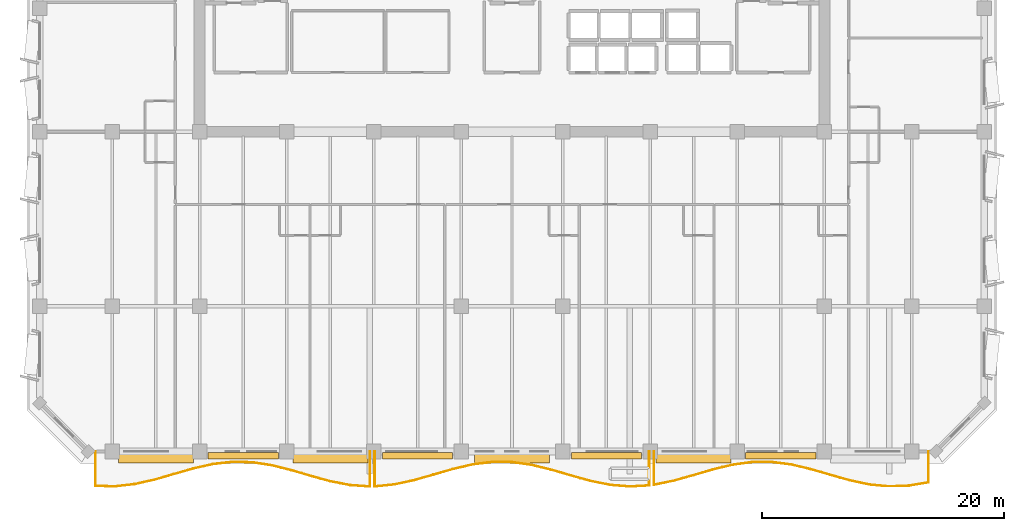
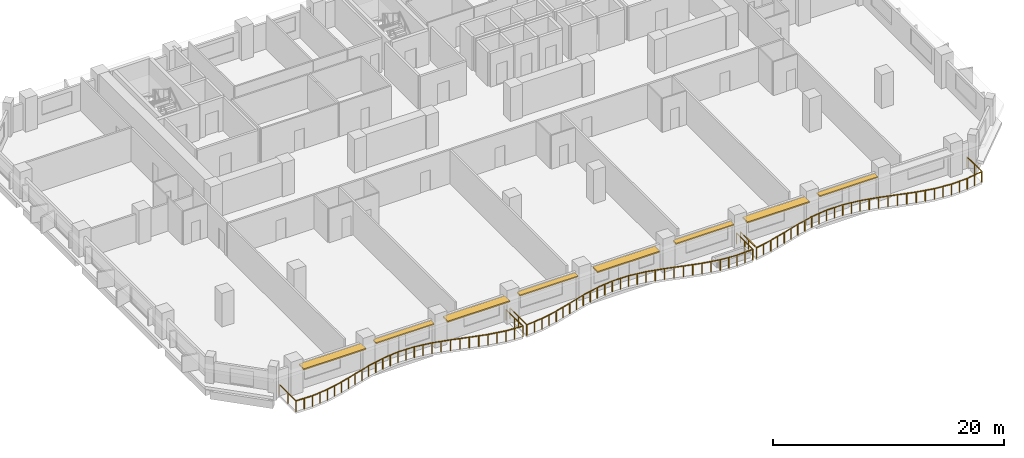
# One storey, part 10 of 14: 8 shading devices, 3 railings.
"""IFC4 building model written with IfcOpenShell, lengths in metres."""

from ifc_helpers import new_model, si_unit, direction, frame, origin, origin_2d, place, context, subcontext, project, spatial, rectangle, extrude, material, layer, layer_set, type_object, element, save


model = new_model("IFC4")

# Units and contexts
model_context = context("Model", 3, precision=1e-05, world=origin(), true_north=direction((0.0, 1.0)))
body_context = subcontext(model_context, "Body", "Model", "MODEL_VIEW")
ifc_project = project(units=[si_unit("LENGTHUNIT", "METRE"), si_unit("AREAUNIT", "SQUARE_METRE"), si_unit("VOLUMEUNIT", "CUBIC_METRE"), si_unit("PLANEANGLEUNIT", "RADIAN"), si_unit("MASSUNIT", "GRAM", prefix="KILO")], contexts=[model_context])

# Site, building, storey
site_placement = place(None, origin())
site = spatial("IfcSite", under=ifc_project, at=site_placement, CompositionType="ELEMENT")
building_placement = place(site_placement, origin())
building = spatial("IfcBuilding", under=site, at=building_placement, Name="Kaelvorn Grand Hotel", CompositionType="ELEMENT")
storey_placement = place(building_placement, frame((0.0, 0.0, 205.35009765625)))
storey = spatial("IfcBuildingStorey", under=building, at=storey_placement, Name="L50", CompositionType="ELEMENT", Elevation=205.35009765625)

# Railings
ifc_material_1 = material(Name="Stainless Steel", Category="steel")
railing_type = type_object("IfcRailingType", Name="RL-BALC-1150", PredefinedType="BALUSTRADE", material=ifc_material_1)
railing_1_placement = place(storey_placement, frame((7.60009765625, 3.0, 0.0)))
element("IfcRailing", 1, at=railing_1_placement, inside=storey, type_object=railing_type, Name="L50 Scalloped Wave Balcony Balustrade GR1-1", PredefinedType="BALUSTRADE", context=body_context, shape_type="SweptSolid", body=[
    extrude(rectangle(XDim=0.048095703125, YDim=0.048095703125, at=origin_2d()), frame((0.0, 0.0, 1.1259765625), z_axis=(0.0, -1.0, 0.0), x_axis=(1.0, 0.0, 0.0)), (0.0, 0.0, 1.0), 2.849853515625),
    extrude(rectangle(XDim=0.048095703125, YDim=0.048095703125, at=origin_2d()), frame((0.0, -2.849853515625, 1.1259765625), z_axis=(0.999730426156, -0.023217989086, 0.0), x_axis=(0.023217989086, 0.999730426156, 0.0)), (0.0, 0.0, 1.0), 1.619384765625),
    extrude(rectangle(XDim=0.048095703125, YDim=0.048095703125, at=origin_2d()), frame((1.618896484375, -2.887451171875, 1.1259765625), z_axis=(0.993682951912, 0.112223843634, 0.0), x_axis=(-0.112223843634, 0.993682951912, 0.0)), (0.0, 0.0, 1.0), 1.62939453125),
    extrude(rectangle(XDim=0.048095703125, YDim=0.048095703125, at=origin_2d()), frame((3.238037109375, -2.70458984375, 1.1259765625), z_axis=(0.975703414812, 0.219095518723, 0.0), x_axis=(-0.219095518723, 0.975703414812, 0.0)), (0.0, 0.0, 1.0), 1.6591796875),
    extrude(rectangle(XDim=0.048095703125, YDim=0.048095703125, at=origin_2d()), frame((4.85693359375, -2.341064453125, 1.1259765625), z_axis=(0.961173148549, 0.275945970271, 0.0), x_axis=(-0.275945970271, 0.961173148549, 0.0)), (0.0, 0.0, 1.0), 1.6845703125),
    extrude(rectangle(XDim=0.048095703125, YDim=0.048095703125, at=origin_2d()), frame((6.47607421875, -1.876220703125, 1.1259765625), z_axis=(0.961096237506, 0.276213725676, 0.0), x_axis=(-0.276213725676, 0.961096237506, 0.0)), (0.0, 0.0, 1.0), 1.6845703125),
    extrude(rectangle(XDim=0.048095703125, YDim=0.048095703125, at=origin_2d()), frame((8.09521484375, -1.410888671875, 1.1259765625), z_axis=(0.975640468592, 0.219375650531, 0.0), x_axis=(-0.219375650531, 0.975640468592, 0.0)), (0.0, 0.0, 1.0), 1.659423828125),
    extrude(rectangle(XDim=0.048095703125, YDim=0.048095703125, at=origin_2d()), frame((9.714111328125, -1.046875, 1.1259765625), z_axis=(0.993615946407, 0.112815562069, 0.0), x_axis=(-0.112815562069, 0.993615946407, 0.0)), (0.0, 0.0, 1.0), 1.629638671875),
    extrude(rectangle(XDim=0.048095703125, YDim=0.048095703125, at=origin_2d()), frame((11.333251953125, -0.863037109375, 1.1259765625), z_axis=(0.999747716334, -0.022461159489, 0.0), x_axis=(0.022461159489, 0.999747716334, 0.0)), (0.0, 0.0, 1.0), 1.61962890625),
    extrude(rectangle(XDim=0.048095703125, YDim=0.048095703125, at=origin_2d()), frame((12.952392578125, -0.8994140625, 1.1259765625), z_axis=(0.988375143725, -0.152034783079, 0.0), x_axis=(0.152034783079, 0.988375143725, 0.0)), (0.0, 0.0, 1.0), 1.637939453125),
    extrude(rectangle(XDim=0.048095703125, YDim=0.048095703125, at=origin_2d()), frame((14.5712890625, -1.1484375, 1.1259765625), z_axis=(0.969797453299, -0.243911663465, 0.0), x_axis=(0.243911663465, 0.969797453299, 0.0)), (0.0, 0.0, 1.0), 1.669677734375),
    extrude(rectangle(XDim=0.048095703125, YDim=0.048095703125, at=origin_2d()), frame((16.1904296875, -1.5556640625, 1.1259765625), z_axis=(0.959298669037, -0.28239345528, 0.0), x_axis=(0.28239345528, 0.959298669037, 0.0)), (0.0, 0.0, 1.0), 1.6875),
    extrude(rectangle(XDim=0.048095703125, YDim=0.048095703125, at=origin_2d()), frame((17.809326171875, -2.0322265625, 1.1259765625), z_axis=(0.964642881797, -0.26356044961, 0.0), x_axis=(0.26356044961, 0.964642881797, 0.0)), (0.0, 0.0, 1.0), 1.678466796875),
    extrude(rectangle(XDim=0.048095703125, YDim=0.048095703125, at=origin_2d()), frame((19.428466796875, -2.474609375, 1.1259765625), z_axis=(0.981934563665, -0.189220804036, 0.0), x_axis=(0.189220804036, 0.981934563665, 0.0)), (0.0, 0.0, 1.0), 1.64892578125),
    extrude(rectangle(XDim=0.048095703125, YDim=0.048095703125, at=origin_2d()), frame((21.047607421875, -2.78662109375, 1.1259765625), z_axis=(0.997560748311, -0.069803677758, 0.0), x_axis=(0.069803677758, 0.997560748311, 0.0)), (0.0, 0.0, 1.0), 1.622802734375),
    extrude(rectangle(XDim=0.048095703125, YDim=0.048095703125, at=origin_2d()), frame((22.66650390625, -2.89990234375, 1.1259765625), z_axis=(0.0, 1.0, 0.0), x_axis=(-1.0, 0.0, 0.0)), (0.0, 0.0, 1.0), 2.89990234375),
    extrude(rectangle(XDim=0.0419921875, YDim=0.0419921875, at=origin_2d()), origin(), (0.0, 0.0, 1.0), 1.101806640625),
    extrude(rectangle(XDim=0.0419921875, YDim=0.0419921875, at=origin_2d()), frame((0.0, -1.4248046875, 0.0)), (0.0, 0.0, 1.0), 1.101806640625),
    extrude(rectangle(XDim=0.0419921875, YDim=0.0419921875, at=origin_2d()), frame((0.0, -2.849853515625, 0.0)), (0.0, 0.0, 1.0), 1.101806640625),
    extrude(rectangle(XDim=0.0419921875, YDim=0.0419921875, at=origin_2d()), frame((0.8095703125, -2.86865234375, 0.0)), (0.0, 0.0, 1.0), 1.101806640625),
    extrude(rectangle(XDim=0.0419921875, YDim=0.0419921875, at=origin_2d()), frame((1.618896484375, -2.887451171875, 0.0)), (0.0, 0.0, 1.0), 1.101806640625),
    extrude(rectangle(XDim=0.0419921875, YDim=0.0419921875, at=origin_2d()), frame((2.428466796875, -2.7958984375, 0.0)), (0.0, 0.0, 1.0), 1.101806640625),
    extrude(rectangle(XDim=0.0419921875, YDim=0.0419921875, at=origin_2d()), frame((3.238037109375, -2.70458984375, 0.0)), (0.0, 0.0, 1.0), 1.101806640625),
    extrude(rectangle(XDim=0.0419921875, YDim=0.0419921875, at=origin_2d()), frame((4.04736328125, -2.52294921875, 0.0)), (0.0, 0.0, 1.0), 1.101806640625),
    extrude(rectangle(XDim=0.0419921875, YDim=0.0419921875, at=origin_2d()), frame((4.85693359375, -2.341064453125, 0.0)), (0.0, 0.0, 1.0), 1.101806640625),
    extrude(rectangle(XDim=0.0419921875, YDim=0.0419921875, at=origin_2d()), frame((5.66650390625, -2.108642578125, 0.0)), (0.0, 0.0, 1.0), 1.101806640625),
    extrude(rectangle(XDim=0.0419921875, YDim=0.0419921875, at=origin_2d()), frame((6.47607421875, -1.876220703125, 0.0)), (0.0, 0.0, 1.0), 1.101806640625),
    extrude(rectangle(XDim=0.0419921875, YDim=0.0419921875, at=origin_2d()), frame((7.28564453125, -1.6435546875, 0.0)), (0.0, 0.0, 1.0), 1.101806640625),
    extrude(rectangle(XDim=0.0419921875, YDim=0.0419921875, at=origin_2d()), frame((8.09521484375, -1.410888671875, 0.0)), (0.0, 0.0, 1.0), 1.101806640625),
    extrude(rectangle(XDim=0.0419921875, YDim=0.0419921875, at=origin_2d()), frame((8.90478515625, -1.22900390625, 0.0)), (0.0, 0.0, 1.0), 1.101806640625),
    extrude(rectangle(XDim=0.0419921875, YDim=0.0419921875, at=origin_2d()), frame((9.714111328125, -1.046875, 0.0)), (0.0, 0.0, 1.0), 1.101806640625),
    extrude(rectangle(XDim=0.0419921875, YDim=0.0419921875, at=origin_2d()), frame((10.523681640625, -0.955078125, 0.0)), (0.0, 0.0, 1.0), 1.101806640625),
    extrude(rectangle(XDim=0.0419921875, YDim=0.0419921875, at=origin_2d()), frame((11.333251953125, -0.863037109375, 0.0)), (0.0, 0.0, 1.0), 1.101806640625),
    extrude(rectangle(XDim=0.0419921875, YDim=0.0419921875, at=origin_2d()), frame((12.142822265625, -0.88134765625, 0.0)), (0.0, 0.0, 1.0), 1.101806640625),
    extrude(rectangle(XDim=0.0419921875, YDim=0.0419921875, at=origin_2d()), frame((12.952392578125, -0.8994140625, 0.0)), (0.0, 0.0, 1.0), 1.101806640625),
    extrude(rectangle(XDim=0.0419921875, YDim=0.0419921875, at=origin_2d()), frame((13.76171875, -1.02392578125, 0.0)), (0.0, 0.0, 1.0), 1.101806640625),
    extrude(rectangle(XDim=0.0419921875, YDim=0.0419921875, at=origin_2d()), frame((14.5712890625, -1.1484375, 0.0)), (0.0, 0.0, 1.0), 1.101806640625),
    extrude(rectangle(XDim=0.0419921875, YDim=0.0419921875, at=origin_2d()), frame((15.380859375, -1.35205078125, 0.0)), (0.0, 0.0, 1.0), 1.101806640625),
    extrude(rectangle(XDim=0.0419921875, YDim=0.0419921875, at=origin_2d()), frame((16.1904296875, -1.5556640625, 0.0)), (0.0, 0.0, 1.0), 1.101806640625),
    extrude(rectangle(XDim=0.0419921875, YDim=0.0419921875, at=origin_2d()), frame((17.0, -1.7939453125, 0.0)), (0.0, 0.0, 1.0), 1.101806640625),
    extrude(rectangle(XDim=0.0419921875, YDim=0.0419921875, at=origin_2d()), frame((17.809326171875, -2.0322265625, 0.0)), (0.0, 0.0, 1.0), 1.101806640625),
    extrude(rectangle(XDim=0.0419921875, YDim=0.0419921875, at=origin_2d()), frame((18.618896484375, -2.25341796875, 0.0)), (0.0, 0.0, 1.0), 1.101806640625),
    extrude(rectangle(XDim=0.0419921875, YDim=0.0419921875, at=origin_2d()), frame((19.428466796875, -2.474609375, 0.0)), (0.0, 0.0, 1.0), 1.101806640625),
    extrude(rectangle(XDim=0.0419921875, YDim=0.0419921875, at=origin_2d()), frame((20.238037109375, -2.630615234375, 0.0)), (0.0, 0.0, 1.0), 1.101806640625),
    extrude(rectangle(XDim=0.0419921875, YDim=0.0419921875, at=origin_2d()), frame((21.047607421875, -2.78662109375, 0.0)), (0.0, 0.0, 1.0), 1.101806640625),
    extrude(rectangle(XDim=0.0419921875, YDim=0.0419921875, at=origin_2d()), frame((21.85693359375, -2.84326171875, 0.0)), (0.0, 0.0, 1.0), 1.101806640625),
    extrude(rectangle(XDim=0.0419921875, YDim=0.0419921875, at=origin_2d()), frame((22.66650390625, -2.89990234375, 0.0)), (0.0, 0.0, 1.0), 1.101806640625),
    extrude(rectangle(XDim=0.0419921875, YDim=0.0419921875, at=origin_2d()), frame((22.66650390625, -1.449951171875, 0.0)), (0.0, 0.0, 1.0), 1.101806640625),
    extrude(rectangle(XDim=0.0419921875, YDim=0.0419921875, at=origin_2d()), frame((22.66650390625, 0.0, 0.0)), (0.0, 0.0, 1.0), 1.101806640625),
])
railing_2_placement = place(storey_placement, frame((30.666748046875, 3.0, 0.0)))
element("IfcRailing", 2, at=railing_2_placement, inside=storey, type_object=railing_type, Name="L50 Scalloped Wave Balcony Balustrade GR1-2", PredefinedType="BALUSTRADE", context=body_context, shape_type="SweptSolid", body=[
    extrude(rectangle(XDim=0.048095703125, YDim=0.048095703125, at=origin_2d()), frame((0.0, 0.0, 1.1259765625), z_axis=(0.0, -1.0, 0.0), x_axis=(1.0, 0.0, 0.0)), (0.0, 0.0, 1.0), 2.8935546875),
    extrude(rectangle(XDim=0.048095703125, YDim=0.048095703125, at=origin_2d()), frame((0.0, -2.8935546875, 1.1259765625), z_axis=(0.994964128671, 0.100231644994, 0.0), x_axis=(-0.100231644994, 0.994964128671, 0.0)), (0.0, 0.0, 1.0), 1.627197265625),
    extrude(rectangle(XDim=0.048095703125, YDim=0.048095703125, at=origin_2d()), frame((1.618896484375, -2.73046875, 1.1259765625), z_axis=(0.977503767455, 0.210917957061, 0.0), x_axis=(-0.210917957061, 0.977503767455, 0.0)), (0.0, 0.0, 1.0), 1.656494140625),
    extrude(rectangle(XDim=0.048095703125, YDim=0.048095703125, at=origin_2d()), frame((3.238037109375, -2.381103515625, 1.1259765625), z_axis=(0.962015046514, 0.272996429062, 0.0), x_axis=(-0.272996429062, 0.962015046514, 0.0)), (0.0, 0.0, 1.0), 1.68310546875),
    extrude(rectangle(XDim=0.048095703125, YDim=0.048095703125, at=origin_2d()), frame((4.857177734375, -1.921630859375, 1.1259765625), z_axis=(0.960389998509, 0.278659381259, 0.0), x_axis=(-0.278659381259, 0.960389998509, 0.0)), (0.0, 0.0, 1.0), 1.685546875),
    extrude(rectangle(XDim=0.048095703125, YDim=0.048095703125, at=origin_2d()), frame((6.47607421875, -1.451904296875, 1.1259765625), z_axis=(0.97385637145, 0.227164627056, 0.0), x_axis=(-0.227164627056, 0.97385637145, 0.0)), (0.0, 0.0, 1.0), 1.66259765625),
    extrude(rectangle(XDim=0.048095703125, YDim=0.048095703125, at=origin_2d()), frame((8.09521484375, -1.07421875, 1.1259765625), z_axis=(0.992220218526, 0.124495132229, 0.0), x_axis=(-0.124495132229, 0.992220218526, 0.0)), (0.0, 0.0, 1.0), 1.631591796875),
    extrude(rectangle(XDim=0.048095703125, YDim=0.048095703125, at=origin_2d()), frame((9.714111328125, -0.87109375, 1.1259765625), z_axis=(0.999954883783, -0.009498968287, 0.0), x_axis=(0.009498968287, 0.999954883783, 0.0)), (0.0, 0.0, 1.0), 1.619140625),
    extrude(rectangle(XDim=0.048095703125, YDim=0.048095703125, at=origin_2d()), frame((11.333251953125, -0.886474609375, 1.1259765625), z_axis=(0.990000183839, -0.141066069621, 0.0), x_axis=(0.141066069621, 0.990000183839, 0.0)), (0.0, 0.0, 1.0), 1.635498046875),
    extrude(rectangle(XDim=0.048095703125, YDim=0.048095703125, at=origin_2d()), frame((12.952392578125, -1.1171875, 1.1259765625), z_axis=(0.971429786171, -0.237327138229, 0.0), x_axis=(0.237327138229, 0.971429786171, 0.0)), (0.0, 0.0, 1.0), 1.66650390625),
    extrude(rectangle(XDim=0.048095703125, YDim=0.048095703125, at=origin_2d()), frame((14.5712890625, -1.5126953125, 1.1259765625), z_axis=(0.959623156728, -0.281288814337, 0.0), x_axis=(0.281288814337, 0.959623156728, 0.0)), (0.0, 0.0, 1.0), 1.687255859375),
    extrude(rectangle(XDim=0.048095703125, YDim=0.048095703125, at=origin_2d()), frame((16.1904296875, -1.9873046875, 1.1259765625), z_axis=(0.963478347778, -0.267786245657, 0.0), x_axis=(0.267786245657, 0.963478347778, 0.0)), (0.0, 0.0, 1.0), 1.68017578125),
    extrude(rectangle(XDim=0.048095703125, YDim=0.048095703125, at=origin_2d()), frame((17.809326171875, -2.437255859375, 1.1259765625), z_axis=(0.980134803691, -0.1983324648, 0.0), x_axis=(0.1983324648, 0.980134803691, 0.0)), (0.0, 0.0, 1.0), 1.65185546875),
    extrude(rectangle(XDim=0.048095703125, YDim=0.048095703125, at=origin_2d()), frame((19.428466796875, -2.764892578125, 1.1259765625), z_axis=(0.996591207216, -0.082498276954, 0.0), x_axis=(0.082498276954, 0.996591207216, 0.0)), (0.0, 0.0, 1.0), 1.624755859375),
    extrude(rectangle(XDim=0.048095703125, YDim=0.048095703125, at=origin_2d()), frame((21.047607421875, -2.89892578125, 1.1259765625), z_axis=(0.998488486101, 0.054961287502, 0.0), x_axis=(-0.054961287502, 0.998488486101, 0.0)), (0.0, 0.0, 1.0), 1.621337890625),
    extrude(rectangle(XDim=0.048095703125, YDim=0.048095703125, at=origin_2d()), frame((22.66650390625, -2.809814453125, 1.1259765625), z_axis=(0.0, 1.0, 0.0), x_axis=(-1.0, 0.0, 0.0)), (0.0, 0.0, 1.0), 2.809814453125),
    extrude(rectangle(XDim=0.0419921875, YDim=0.0419921875, at=origin_2d()), origin(), (0.0, 0.0, 1.0), 1.101806640625),
    extrude(rectangle(XDim=0.0419921875, YDim=0.0419921875, at=origin_2d()), frame((0.0, -1.44677734375, 0.0)), (0.0, 0.0, 1.0), 1.101806640625),
    extrude(rectangle(XDim=0.0419921875, YDim=0.0419921875, at=origin_2d()), frame((0.0, -2.8935546875, 0.0)), (0.0, 0.0, 1.0), 1.101806640625),
    extrude(rectangle(XDim=0.0419921875, YDim=0.0419921875, at=origin_2d()), frame((0.8095703125, -2.81201171875, 0.0)), (0.0, 0.0, 1.0), 1.101806640625),
    extrude(rectangle(XDim=0.0419921875, YDim=0.0419921875, at=origin_2d()), frame((1.618896484375, -2.73046875, 0.0)), (0.0, 0.0, 1.0), 1.101806640625),
    extrude(rectangle(XDim=0.0419921875, YDim=0.0419921875, at=origin_2d()), frame((2.428466796875, -2.5556640625, 0.0)), (0.0, 0.0, 1.0), 1.101806640625),
    extrude(rectangle(XDim=0.0419921875, YDim=0.0419921875, at=origin_2d()), frame((3.238037109375, -2.381103515625, 0.0)), (0.0, 0.0, 1.0), 1.101806640625),
    extrude(rectangle(XDim=0.0419921875, YDim=0.0419921875, at=origin_2d()), frame((4.047607421875, -2.1513671875, 0.0)), (0.0, 0.0, 1.0), 1.101806640625),
    extrude(rectangle(XDim=0.0419921875, YDim=0.0419921875, at=origin_2d()), frame((4.857177734375, -1.921630859375, 0.0)), (0.0, 0.0, 1.0), 1.101806640625),
    extrude(rectangle(XDim=0.0419921875, YDim=0.0419921875, at=origin_2d()), frame((5.66650390625, -1.686767578125, 0.0)), (0.0, 0.0, 1.0), 1.101806640625),
    extrude(rectangle(XDim=0.0419921875, YDim=0.0419921875, at=origin_2d()), frame((6.47607421875, -1.451904296875, 0.0)), (0.0, 0.0, 1.0), 1.101806640625),
    extrude(rectangle(XDim=0.0419921875, YDim=0.0419921875, at=origin_2d()), frame((7.28564453125, -1.26318359375, 0.0)), (0.0, 0.0, 1.0), 1.101806640625),
    extrude(rectangle(XDim=0.0419921875, YDim=0.0419921875, at=origin_2d()), frame((8.09521484375, -1.07421875, 0.0)), (0.0, 0.0, 1.0), 1.101806640625),
    extrude(rectangle(XDim=0.0419921875, YDim=0.0419921875, at=origin_2d()), frame((8.90478515625, -0.97265625, 0.0)), (0.0, 0.0, 1.0), 1.101806640625),
    extrude(rectangle(XDim=0.0419921875, YDim=0.0419921875, at=origin_2d()), frame((9.714111328125, -0.87109375, 0.0)), (0.0, 0.0, 1.0), 1.101806640625),
    extrude(rectangle(XDim=0.0419921875, YDim=0.0419921875, at=origin_2d()), frame((10.523681640625, -0.87890625, 0.0)), (0.0, 0.0, 1.0), 1.101806640625),
    extrude(rectangle(XDim=0.0419921875, YDim=0.0419921875, at=origin_2d()), frame((11.333251953125, -0.886474609375, 0.0)), (0.0, 0.0, 1.0), 1.101806640625),
    extrude(rectangle(XDim=0.0419921875, YDim=0.0419921875, at=origin_2d()), frame((12.142822265625, -1.001953125, 0.0)), (0.0, 0.0, 1.0), 1.101806640625),
    extrude(rectangle(XDim=0.0419921875, YDim=0.0419921875, at=origin_2d()), frame((12.952392578125, -1.1171875, 0.0)), (0.0, 0.0, 1.0), 1.101806640625),
    extrude(rectangle(XDim=0.0419921875, YDim=0.0419921875, at=origin_2d()), frame((13.76171875, -1.31494140625, 0.0)), (0.0, 0.0, 1.0), 1.101806640625),
    extrude(rectangle(XDim=0.0419921875, YDim=0.0419921875, at=origin_2d()), frame((14.5712890625, -1.5126953125, 0.0)), (0.0, 0.0, 1.0), 1.101806640625),
    extrude(rectangle(XDim=0.0419921875, YDim=0.0419921875, at=origin_2d()), frame((15.380859375, -1.75, 0.0)), (0.0, 0.0, 1.0), 1.101806640625),
    extrude(rectangle(XDim=0.0419921875, YDim=0.0419921875, at=origin_2d()), frame((16.1904296875, -1.9873046875, 0.0)), (0.0, 0.0, 1.0), 1.101806640625),
    extrude(rectangle(XDim=0.0419921875, YDim=0.0419921875, at=origin_2d()), frame((17.0, -2.21240234375, 0.0)), (0.0, 0.0, 1.0), 1.101806640625),
    extrude(rectangle(XDim=0.0419921875, YDim=0.0419921875, at=origin_2d()), frame((17.809326171875, -2.437255859375, 0.0)), (0.0, 0.0, 1.0), 1.101806640625),
    extrude(rectangle(XDim=0.0419921875, YDim=0.0419921875, at=origin_2d()), frame((18.618896484375, -2.60107421875, 0.0)), (0.0, 0.0, 1.0), 1.101806640625),
    extrude(rectangle(XDim=0.0419921875, YDim=0.0419921875, at=origin_2d()), frame((19.428466796875, -2.764892578125, 0.0)), (0.0, 0.0, 1.0), 1.101806640625),
    extrude(rectangle(XDim=0.0419921875, YDim=0.0419921875, at=origin_2d()), frame((20.238037109375, -2.83203125, 0.0)), (0.0, 0.0, 1.0), 1.101806640625),
    extrude(rectangle(XDim=0.0419921875, YDim=0.0419921875, at=origin_2d()), frame((21.047607421875, -2.89892578125, 0.0)), (0.0, 0.0, 1.0), 1.101806640625),
    extrude(rectangle(XDim=0.0419921875, YDim=0.0419921875, at=origin_2d()), frame((21.85693359375, -2.8544921875, 0.0)), (0.0, 0.0, 1.0), 1.101806640625),
    extrude(rectangle(XDim=0.0419921875, YDim=0.0419921875, at=origin_2d()), frame((22.66650390625, -2.809814453125, 0.0)), (0.0, 0.0, 1.0), 1.101806640625),
    extrude(rectangle(XDim=0.0419921875, YDim=0.0419921875, at=origin_2d()), frame((22.66650390625, -1.40478515625, 0.0)), (0.0, 0.0, 1.0), 1.101806640625),
    extrude(rectangle(XDim=0.0419921875, YDim=0.0419921875, at=origin_2d()), frame((22.66650390625, 0.0, 0.0)), (0.0, 0.0, 1.0), 1.101806640625),
])
railing_3_placement = place(storey_placement, frame((53.7333984375, 3.0, 0.0)))
element("IfcRailing", 3, at=railing_3_placement, inside=storey, type_object=railing_type, Name="L50 Scalloped Wave Balcony Balustrade GR1-3", PredefinedType="BALUSTRADE", context=body_context, shape_type="SweptSolid", body=[
    extrude(rectangle(XDim=0.048095703125, YDim=0.048095703125, at=origin_2d()), frame((0.0, 0.0, 1.1259765625), z_axis=(0.0, -1.0, 0.0), x_axis=(1.0, 0.0, 0.0)), (0.0, 0.0, 1.0), 2.754638671875),
    extrude(rectangle(XDim=0.048095703125, YDim=0.048095703125, at=origin_2d()), frame((0.0, -2.754638671875, 1.1259765625), z_axis=(0.979316964053, 0.202332112917, 0.0), x_axis=(-0.202332112917, 0.979316964053, 0.0)), (0.0, 0.0, 1.0), 1.653076171875),
    extrude(rectangle(XDim=0.048095703125, YDim=0.048095703125, at=origin_2d()), frame((1.618896484375, -2.420166015625, 1.1259765625), z_axis=(0.962962511693, 0.269635311251, 0.0), x_axis=(-0.269635311251, 0.962962511693, 0.0)), (0.0, 0.0, 1.0), 1.681396484375),
    extrude(rectangle(XDim=0.048095703125, YDim=0.048095703125, at=origin_2d()), frame((3.238037109375, -1.966796875, 1.1259765625), z_axis=(0.959857228362, 0.280489039289, 0.0), x_axis=(-0.280489039289, 0.959857228362, 0.0)), (0.0, 0.0, 1.0), 1.686767578125),
    extrude(rectangle(XDim=0.048095703125, YDim=0.048095703125, at=origin_2d()), frame((4.857177734375, -1.49365234375, 1.1259765625), z_axis=(0.972168625769, 0.234282229525, 0.0), x_axis=(-0.234282229525, 0.972168625769, 0.0)), (0.0, 0.0, 1.0), 1.665283203125),
    extrude(rectangle(XDim=0.048095703125, YDim=0.048095703125, at=origin_2d()), frame((6.47607421875, -1.103515625, 1.1259765625), z_axis=(0.99071710319, 0.135939771397, 0.0), x_axis=(-0.135939771397, 0.99071710319, 0.0)), (0.0, 0.0, 1.0), 1.63427734375),
    extrude(rectangle(XDim=0.048095703125, YDim=0.048095703125, at=origin_2d()), frame((8.09521484375, -0.88134765625, 1.1259765625), z_axis=(0.999993450168, 0.003619339889, 0.0), x_axis=(-0.003619339889, 0.999993450168, 0.0)), (0.0, 0.0, 1.0), 1.618896484375),
    extrude(rectangle(XDim=0.048095703125, YDim=0.048095703125, at=origin_2d()), frame((9.714111328125, -0.87548828125, 1.1259765625), z_axis=(0.991562852546, -0.129626808377, 0.0), x_axis=(0.129626808377, 0.991562852546, 0.0)), (0.0, 0.0, 1.0), 1.6328125),
    extrude(rectangle(XDim=0.048095703125, YDim=0.048095703125, at=origin_2d()), frame((11.333251953125, -1.087158203125, 1.1259765625), z_axis=(0.973071627699, -0.230502944378, 0.0), x_axis=(0.230502944378, 0.973071627699, 0.0)), (0.0, 0.0, 1.0), 1.6640625),
    extrude(rectangle(XDim=0.048095703125, YDim=0.048095703125, at=origin_2d()), frame((12.952392578125, -1.470703125, 1.1259765625), z_axis=(0.960157157306, -0.279460611311, 0.0), x_axis=(0.279460611311, 0.960157157306, 0.0)), (0.0, 0.0, 1.0), 1.68603515625),
    extrude(rectangle(XDim=0.048095703125, YDim=0.048095703125, at=origin_2d()), frame((14.5712890625, -1.94189453125, 1.1259765625), z_axis=(0.962433147184, -0.271518760311, 0.0), x_axis=(0.271518760311, 0.962433147184, 0.0)), (0.0, 0.0, 1.0), 1.682373046875),
    extrude(rectangle(XDim=0.048095703125, YDim=0.048095703125, at=origin_2d()), frame((16.1904296875, -2.398681640625, 1.1259765625), z_axis=(0.978317525264, -0.207110646181, 0.0), x_axis=(0.207110646181, 0.978317525264, 0.0)), (0.0, 0.0, 1.0), 1.655029296875),
    extrude(rectangle(XDim=0.048095703125, YDim=0.048095703125, at=origin_2d()), frame((17.8095703125, -2.741455078125, 1.1259765625), z_axis=(0.995502891633, -0.094731160401, 0.0), x_axis=(0.094731160401, 0.995502891633, 0.0)), (0.0, 0.0, 1.0), 1.626220703125),
    extrude(rectangle(XDim=0.048095703125, YDim=0.048095703125, at=origin_2d()), frame((19.428466796875, -2.8955078125, 1.1259765625), z_axis=(0.999116282636, 0.042031580648, 0.0), x_axis=(-0.042031580648, 0.999116282636, 0.0)), (0.0, 0.0, 1.0), 1.62060546875),
    extrude(rectangle(XDim=0.048095703125, YDim=0.048095703125, at=origin_2d()), frame((21.047607421875, -2.827392578125, 1.1259765625), z_axis=(0.985837909177, 0.167700974446, 0.0), x_axis=(-0.167700974446, 0.985837909177, 0.0)), (0.0, 0.0, 1.0), 1.64208984375),
    extrude(rectangle(XDim=0.048095703125, YDim=0.048095703125, at=origin_2d()), frame((22.66650390625, -2.552001953125, 1.1259765625), z_axis=(0.0, 1.0, 0.0), x_axis=(-1.0, 0.0, 0.0)), (0.0, 0.0, 1.0), 2.552001953125),
    extrude(rectangle(XDim=0.0419921875, YDim=0.0419921875, at=origin_2d()), origin(), (0.0, 0.0, 1.0), 1.101806640625),
    extrude(rectangle(XDim=0.0419921875, YDim=0.0419921875, at=origin_2d()), frame((0.0, -1.37744140625, 0.0)), (0.0, 0.0, 1.0), 1.101806640625),
    extrude(rectangle(XDim=0.0419921875, YDim=0.0419921875, at=origin_2d()), frame((0.0, -2.754638671875, 0.0)), (0.0, 0.0, 1.0), 1.101806640625),
    extrude(rectangle(XDim=0.0419921875, YDim=0.0419921875, at=origin_2d()), frame((0.8095703125, -2.58740234375, 0.0)), (0.0, 0.0, 1.0), 1.101806640625),
    extrude(rectangle(XDim=0.0419921875, YDim=0.0419921875, at=origin_2d()), frame((1.618896484375, -2.420166015625, 0.0)), (0.0, 0.0, 1.0), 1.101806640625),
    extrude(rectangle(XDim=0.0419921875, YDim=0.0419921875, at=origin_2d()), frame((2.428466796875, -2.193359375, 0.0)), (0.0, 0.0, 1.0), 1.101806640625),
    extrude(rectangle(XDim=0.0419921875, YDim=0.0419921875, at=origin_2d()), frame((3.238037109375, -1.966796875, 0.0)), (0.0, 0.0, 1.0), 1.101806640625),
    extrude(rectangle(XDim=0.0419921875, YDim=0.0419921875, at=origin_2d()), frame((4.047607421875, -1.730224609375, 0.0)), (0.0, 0.0, 1.0), 1.101806640625),
    extrude(rectangle(XDim=0.0419921875, YDim=0.0419921875, at=origin_2d()), frame((4.857177734375, -1.49365234375, 0.0)), (0.0, 0.0, 1.0), 1.101806640625),
    extrude(rectangle(XDim=0.0419921875, YDim=0.0419921875, at=origin_2d()), frame((5.66650390625, -1.298583984375, 0.0)), (0.0, 0.0, 1.0), 1.101806640625),
    extrude(rectangle(XDim=0.0419921875, YDim=0.0419921875, at=origin_2d()), frame((6.47607421875, -1.103515625, 0.0)), (0.0, 0.0, 1.0), 1.101806640625),
    extrude(rectangle(XDim=0.0419921875, YDim=0.0419921875, at=origin_2d()), frame((7.28564453125, -0.992431640625, 0.0)), (0.0, 0.0, 1.0), 1.101806640625),
    extrude(rectangle(XDim=0.0419921875, YDim=0.0419921875, at=origin_2d()), frame((8.09521484375, -0.88134765625, 0.0)), (0.0, 0.0, 1.0), 1.101806640625),
    extrude(rectangle(XDim=0.0419921875, YDim=0.0419921875, at=origin_2d()), frame((8.90478515625, -0.87841796875, 0.0)), (0.0, 0.0, 1.0), 1.101806640625),
    extrude(rectangle(XDim=0.0419921875, YDim=0.0419921875, at=origin_2d()), frame((9.714111328125, -0.87548828125, 0.0)), (0.0, 0.0, 1.0), 1.101806640625),
    extrude(rectangle(XDim=0.0419921875, YDim=0.0419921875, at=origin_2d()), frame((10.523681640625, -0.9814453125, 0.0)), (0.0, 0.0, 1.0), 1.101806640625),
    extrude(rectangle(XDim=0.0419921875, YDim=0.0419921875, at=origin_2d()), frame((11.333251953125, -1.087158203125, 0.0)), (0.0, 0.0, 1.0), 1.101806640625),
    extrude(rectangle(XDim=0.0419921875, YDim=0.0419921875, at=origin_2d()), frame((12.142822265625, -1.27880859375, 0.0)), (0.0, 0.0, 1.0), 1.101806640625),
    extrude(rectangle(XDim=0.0419921875, YDim=0.0419921875, at=origin_2d()), frame((12.952392578125, -1.470703125, 0.0)), (0.0, 0.0, 1.0), 1.101806640625),
    extrude(rectangle(XDim=0.0419921875, YDim=0.0419921875, at=origin_2d()), frame((13.76171875, -1.706298828125, 0.0)), (0.0, 0.0, 1.0), 1.101806640625),
    extrude(rectangle(XDim=0.0419921875, YDim=0.0419921875, at=origin_2d()), frame((14.5712890625, -1.94189453125, 0.0)), (0.0, 0.0, 1.0), 1.101806640625),
    extrude(rectangle(XDim=0.0419921875, YDim=0.0419921875, at=origin_2d()), frame((15.380859375, -2.17041015625, 0.0)), (0.0, 0.0, 1.0), 1.101806640625),
    extrude(rectangle(XDim=0.0419921875, YDim=0.0419921875, at=origin_2d()), frame((16.1904296875, -2.398681640625, 0.0)), (0.0, 0.0, 1.0), 1.101806640625),
    extrude(rectangle(XDim=0.0419921875, YDim=0.0419921875, at=origin_2d()), frame((17.0, -2.570068359375, 0.0)), (0.0, 0.0, 1.0), 1.101806640625),
    extrude(rectangle(XDim=0.0419921875, YDim=0.0419921875, at=origin_2d()), frame((17.8095703125, -2.741455078125, 0.0)), (0.0, 0.0, 1.0), 1.101806640625),
    extrude(rectangle(XDim=0.0419921875, YDim=0.0419921875, at=origin_2d()), frame((18.619140625, -2.818359375, 0.0)), (0.0, 0.0, 1.0), 1.101806640625),
    extrude(rectangle(XDim=0.0419921875, YDim=0.0419921875, at=origin_2d()), frame((19.428466796875, -2.8955078125, 0.0)), (0.0, 0.0, 1.0), 1.101806640625),
    extrude(rectangle(XDim=0.0419921875, YDim=0.0419921875, at=origin_2d()), frame((20.238037109375, -2.861328125, 0.0)), (0.0, 0.0, 1.0), 1.101806640625),
    extrude(rectangle(XDim=0.0419921875, YDim=0.0419921875, at=origin_2d()), frame((21.047607421875, -2.827392578125, 0.0)), (0.0, 0.0, 1.0), 1.101806640625),
    extrude(rectangle(XDim=0.0419921875, YDim=0.0419921875, at=origin_2d()), frame((21.85693359375, -2.689697265625, 0.0)), (0.0, 0.0, 1.0), 1.101806640625),
    extrude(rectangle(XDim=0.0419921875, YDim=0.0419921875, at=origin_2d()), frame((22.66650390625, -2.552001953125, 0.0)), (0.0, 0.0, 1.0), 1.101806640625),
    extrude(rectangle(XDim=0.0419921875, YDim=0.0419921875, at=origin_2d()), frame((22.66650390625, -1.27587890625, 0.0)), (0.0, 0.0, 1.0), 1.101806640625),
    extrude(rectangle(XDim=0.0419921875, YDim=0.0419921875, at=origin_2d()), frame((22.66650390625, 0.0, 0.0)), (0.0, 0.0, 1.0), 1.101806640625),
])

# Shading devices
ifc_material_2 = material(Name="Precast concrete C45/55", Category="concrete")
ifc_layer_1 = layer(ifc_material_2, 0.1201171875)
ifc_layer_set_1 = layer_set([ifc_layer_1], Name="Precast concrete C45/55")
shading_device_type_1 = type_object("IfcShadingDeviceType", Name="SHD-SUNSHADE-550", PredefinedType="USERDEFINED", material=ifc_layer_set_1)
for number, where, z_axis, x_axis, name in (
    (4, (19.800048828125, 2.64501953125, 2.559814453125), (0.0, 0.0, 1.0), (1.0, 0.0, 0.0), "L50 Horizontal Concrete Sunshade Band SS-03"),
    (5, (34.199951171875, 2.64501953125, 2.559814453125), (0.0, 0.0, 1.0), (1.0, 0.0, 0.0), "L50 Horizontal Concrete Sunshade Band SS-05"),
    (6, (49.800048828125, 2.64501953125, 2.559814453125), (0.0, 0.0, 1.0), (1.0, 0.0, 0.0), "L50 Horizontal Concrete Sunshade Band SS-07"),
    (7, (64.199951171875, 2.64501953125, 2.559814453125), (0.0, 0.0, 1.0), (1.0, 0.0, 0.0), "L50 Horizontal Concrete Sunshade Band SS-09"),
):
    element("IfcShadingDevice", number, at=place(storey_placement, frame(where, z_axis=z_axis, x_axis=x_axis)), inside=storey, type_object=shading_device_type_1, Name=name, ObjectType="SUNSHADE", PredefinedType="USERDEFINED", context=body_context, shape_type="SweptSolid", body=[
        extrude(rectangle(XDim=5.800048828125, YDim=0.550048828125, at=origin_2d()), origin(), (0.0, 0.0, 1.0), 0.1201171875),
    ])
ifc_layer_2 = layer(ifc_material_2, 0.139892578125)
ifc_layer_set_2 = layer_set([ifc_layer_2], Name="Precast concrete C45/55")
shading_device_type_2 = type_object("IfcShadingDeviceType", Name="SHD-SUNSHADE-850", PredefinedType="USERDEFINED", material=ifc_layer_set_2)
for number, where, z_axis, x_axis, name in (
    (8, (12.60009765625, 2.4951171875, 2.5498046875), (0.0, 0.0, 1.0), (1.0, 0.0, 0.0), "L50 Horizontal Concrete Sunshade Band SS-02"),
    (9, (27.0, 2.4951171875, 2.5498046875), (0.0, 0.0, 1.0), (1.0, 0.0, 0.0), "L50 Horizontal Concrete Sunshade Band SS-04"),
    (10, (42.0, 2.4951171875, 2.5498046875), (0.0, 0.0, 1.0), (1.0, 0.0, 0.0), "L50 Horizontal Concrete Sunshade Band SS-06"),
    (11, (57.0, 2.4951171875, 2.5498046875), (0.0, 0.0, 1.0), (1.0, 0.0, 0.0), "L50 Horizontal Concrete Sunshade Band SS-08"),
):
    element("IfcShadingDevice", number, at=place(storey_placement, frame(where, z_axis=z_axis, x_axis=x_axis)), inside=storey, type_object=shading_device_type_2, Name=name, ObjectType="SUNSHADE", PredefinedType="USERDEFINED", context=body_context, shape_type="SweptSolid", body=[
        extrude(rectangle(XDim=6.199951171875, YDim=0.85009765625, at=origin_2d()), origin(), (0.0, 0.0, 1.0), 0.139892578125),
    ])

save(model, "model.ifc")
